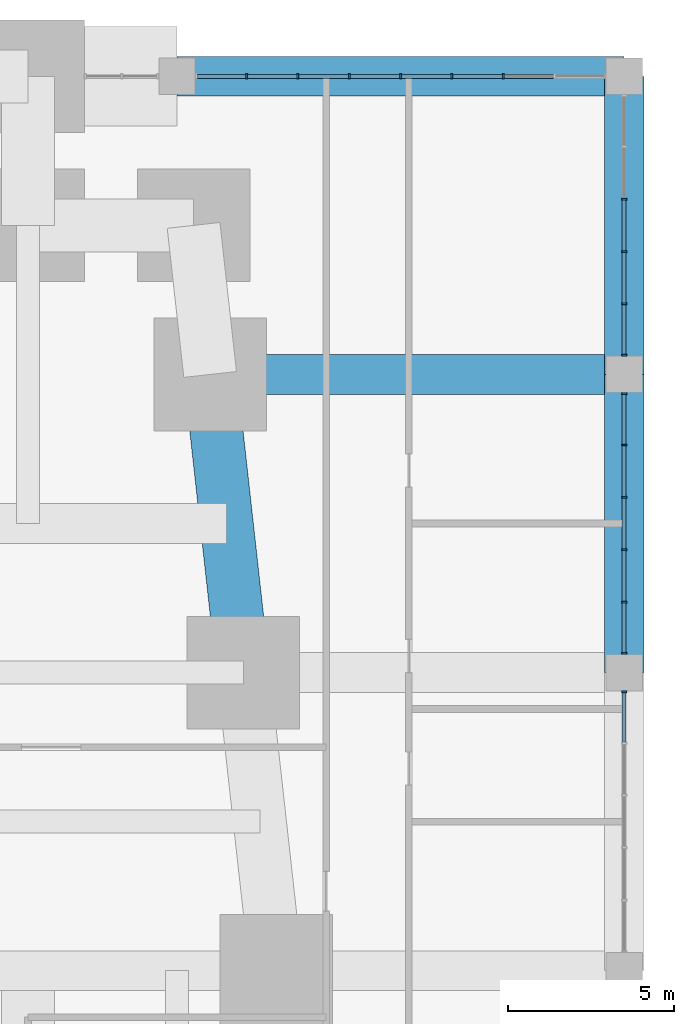
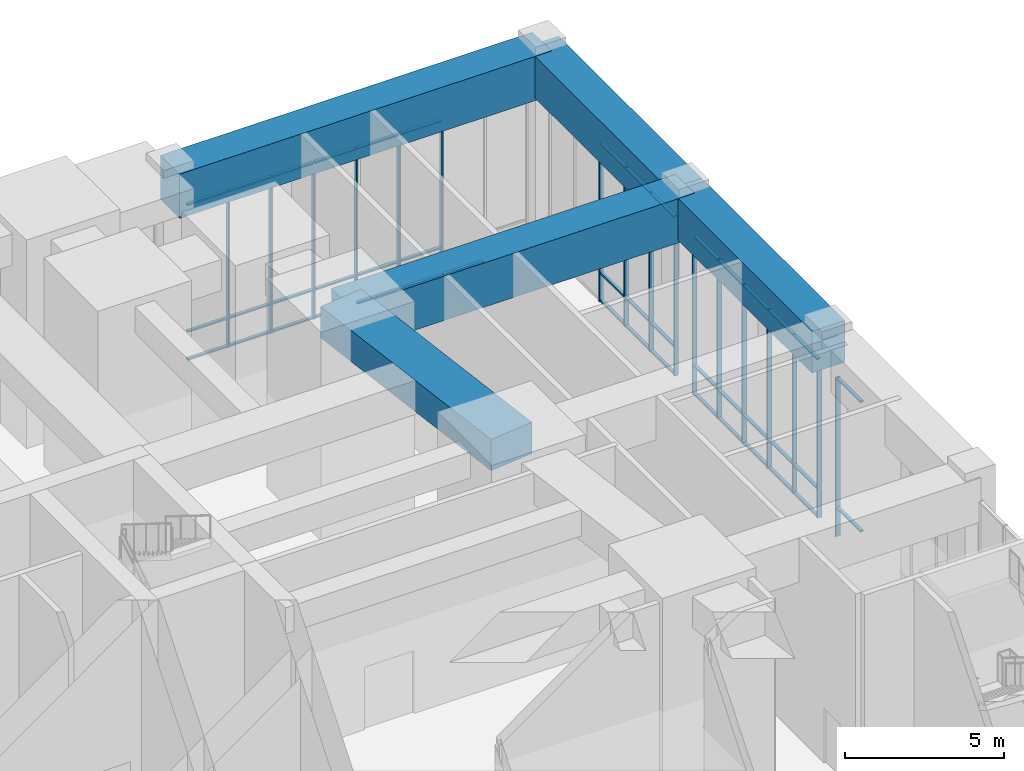
# One storey, part 12 of 26: 62 members, 5 beams, 4 elements without a shape of their own.
"""IFC4 building model written with IfcOpenShell, lengths in metres."""

from ifc_helpers import new_model, si_unit, direction, frame, origin, origin_2d, place, context, subcontext, project, spatial, rectangle, extrude, material, material_profile, profile_set, type_object, element, aggregate, save


model = new_model("IFC4")

# Units and contexts
model_context = context("Model", 3, precision=1e-05, world=origin(), true_north=direction((0.0, 1.0)))
body_context = subcontext(model_context, "Body", "Model", "MODEL_VIEW")
ifc_project = project(units=[si_unit("LENGTHUNIT", "METRE"), si_unit("AREAUNIT", "SQUARE_METRE"), si_unit("VOLUMEUNIT", "CUBIC_METRE"), si_unit("PLANEANGLEUNIT", "RADIAN"), si_unit("MASSUNIT", "GRAM", prefix="KILO")], contexts=[model_context])

# Site, building, storey
site_placement = place(None, origin())
site = spatial("IfcSite", under=ifc_project, at=site_placement, CompositionType="ELEMENT")
building_placement = place(site_placement, origin())
building = spatial("IfcBuilding", under=site, at=building_placement, Name="Kilele Tower Hotel", CompositionType="ELEMENT")
storey_placement = place(building_placement, frame((0.0, 0.0, 11.0)))
storey = spatial("IfcBuildingStorey", under=building, at=storey_placement, Name="L02", CompositionType="ELEMENT", Elevation=11.0)

# Beams
ifc_material_1 = material(Name="Concrete C60/75", Category="concrete")
ifc_material_profile_1 = material_profile(ifc_material_1, rectangle(XDim=1.199951171875, YDim=1.60009765625, at=origin_2d()))
ifc_profile_set_1 = profile_set([ifc_material_profile_1], Name="Concrete C60/75")
beam_type_1 = type_object("IfcBeamType", Name="Beam RC 1200x1600 C60/75", PredefinedType="BEAM", material=ifc_profile_set_1)
for number, where, z_axis, x_axis, name in (
    (1, (58.5, 22.5, 6.89990234375), (0.0, 1.0, 0.0), (-1.0, 0.0, 0.0), "Beam PB2 level L03"),
    (2, (58.5, 31.5, 6.89990234375), (0.0, 1.0, 0.0), (-1.0, 0.0, 0.0), "Beam PB2 level L03"),
):
    element("IfcBeam", number, at=place(storey_placement, frame(where, z_axis=z_axis, x_axis=x_axis)), inside=storey, type_object=beam_type_1, Name=name, PredefinedType="BEAM", context=body_context, shape_type="SweptSolid", body=[
        extrude(rectangle(XDim=1.199951171875, YDim=1.60009765625, at=origin_2d()), origin(), (0.0, 0.0, 1.0), 9.0),
    ])
ifc_material_2 = material(Name="Concrete C60/75", Category="concrete")
ifc_material_profile_2 = material_profile(ifc_material_2, rectangle(XDim=1.199951171875, YDim=1.699951171875, at=origin_2d()))
ifc_profile_set_2 = profile_set([ifc_material_profile_2], Name="Concrete C60/75")
beam_type_2 = type_object("IfcBeamType", Name="Beam RC 1200x1700 C60/75", PredefinedType="BEAM", material=ifc_profile_set_2)
beam_1_placement = place(storey_placement, frame((46.0, 31.5, 6.85009765625), z_axis=(1.0, 0.0, 0.0), x_axis=(0.0, 1.0, 0.0)))
element("IfcBeam", 3, at=beam_1_placement, inside=storey, type_object=beam_type_2, Name="Beam PB3 level L03", PredefinedType="BEAM", context=body_context, shape_type="SweptSolid", body=[
    extrude(rectangle(XDim=1.199951171875, YDim=1.699951171875, at=origin_2d()), origin(), (0.0, 0.0, 1.0), 12.5),
])
beam_2_placement = place(storey_placement, frame((45.0, 40.5, 6.85009765625), z_axis=(1.0, 0.0, 0.0), x_axis=(0.0, 1.0, 0.0)))
element("IfcBeam", 4, at=beam_2_placement, inside=storey, type_object=beam_type_2, Name="Beam PB3 level L03", PredefinedType="BEAM", context=body_context, shape_type="SweptSolid", body=[
    extrude(rectangle(XDim=1.199951171875, YDim=1.699951171875, at=origin_2d()), origin(), (0.0, 0.0, 1.0), 13.5),
])

# Curtain wall, members
ifc_material_3 = material(Name="Aluminium curtain wall, clear double glazing", Category="aluminium")
curtain_wall_type_1 = type_object("IfcCurtainWallType", Name="Podium curtain wall CW-1", PredefinedType="NOTDEFINED", material=ifc_material_3)
curtain_wall_1_placement = place(storey_placement, origin())
curtain_wall_1 = element("IfcCurtainWall", 5, at=curtain_wall_1_placement, inside=storey, type_object=curtain_wall_type_1, Name="Podium curtain wall CW-1 L02", PredefinedType="NOTDEFINED")
ifc_material_4 = material(Name="Aluminium EN AW-6063 T6", Category="aluminium")
ifc_material_profile_3 = material_profile(ifc_material_4, rectangle(XDim=0.159912109375, YDim=0.06005859375, at=origin_2d()))
ifc_profile_set_3 = profile_set([ifc_material_profile_3], Name="Aluminium EN AW-6063 T6")
member_type_1 = type_object("IfcMemberType", Name="Mullion 60x160 CW-1", PredefinedType="MULLION", material=ifc_profile_set_3)
member_1_placement = place(storey_placement, frame((54.85009765625, 40.5, 0.0), z_axis=(0.0, 0.0, 1.0), x_axis=(0.0, -1.0, 0.0)))
member_1 = element("IfcMember", 6, at=member_1_placement, type_object=member_type_1, Name="CW-1 mullion 3", PredefinedType="MULLION", context=body_context, shape_type="SweptSolid", body=[
    extrude(rectangle(XDim=0.159912109375, YDim=0.06005859375, at=origin_2d()), origin(), (0.0, 0.0, 1.0), 6.0),
])
member_2_placement = place(storey_placement, frame((53.300048828125, 40.5, 0.0), z_axis=(0.0, 0.0, 1.0), x_axis=(0.0, -1.0, 0.0)))
member_2 = element("IfcMember", 7, at=member_2_placement, type_object=member_type_1, Name="CW-1 mullion 4", PredefinedType="MULLION", context=body_context, shape_type="SweptSolid", body=[
    extrude(rectangle(XDim=0.159912109375, YDim=0.06005859375, at=origin_2d()), origin(), (0.0, 0.0, 1.0), 6.0),
])
member_3_placement = place(storey_placement, frame((51.75, 40.5, 0.0), z_axis=(0.0, 0.0, 1.0), x_axis=(0.0, -1.0, 0.0)))
member_3 = element("IfcMember", 8, at=member_3_placement, type_object=member_type_1, Name="CW-1 mullion 5", PredefinedType="MULLION", context=body_context, shape_type="SweptSolid", body=[
    extrude(rectangle(XDim=0.159912109375, YDim=0.06005859375, at=origin_2d()), origin(), (0.0, 0.0, 1.0), 6.0),
])
member_4_placement = place(storey_placement, frame((50.199951171875, 40.5, 0.0), z_axis=(0.0, 0.0, 1.0), x_axis=(0.0, -1.0, 0.0)))
member_4 = element("IfcMember", 9, at=member_4_placement, type_object=member_type_1, Name="CW-1 mullion 6", PredefinedType="MULLION", context=body_context, shape_type="SweptSolid", body=[
    extrude(rectangle(XDim=0.159912109375, YDim=0.06005859375, at=origin_2d()), origin(), (0.0, 0.0, 1.0), 6.0),
])
member_5_placement = place(storey_placement, frame((48.64990234375, 40.5, 0.0), z_axis=(0.0, 0.0, 1.0), x_axis=(0.0, -1.0, 0.0)))
member_5 = element("IfcMember", 10, at=member_5_placement, type_object=member_type_1, Name="CW-1 mullion 7", PredefinedType="MULLION", context=body_context, shape_type="SweptSolid", body=[
    extrude(rectangle(XDim=0.159912109375, YDim=0.06005859375, at=origin_2d()), origin(), (0.0, 0.0, 1.0), 6.0),
])
member_6_placement = place(storey_placement, frame((47.10009765625, 40.5, 0.0), z_axis=(0.0, 0.0, 1.0), x_axis=(0.0, -1.0, 0.0)))
member_6 = element("IfcMember", 11, at=member_6_placement, type_object=member_type_1, Name="CW-1 mullion 8", PredefinedType="MULLION", context=body_context, shape_type="SweptSolid", body=[
    extrude(rectangle(XDim=0.159912109375, YDim=0.06005859375, at=origin_2d()), origin(), (0.0, 0.0, 1.0), 6.0),
])

# Curtain wall, member
ifc_material_5 = material(Name="Aluminium curtain wall, clear double glazing", Category="aluminium")
curtain_wall_type_2 = type_object("IfcCurtainWallType", Name="Podium side curtain wall CW-2", PredefinedType="NOTDEFINED", material=ifc_material_5)
curtain_wall_2_placement = place(storey_placement, origin())
curtain_wall_2 = element("IfcCurtainWall", 12, at=curtain_wall_2_placement, inside=storey, type_object=curtain_wall_type_2, Name="Podium side curtain wall CW-2 L02", PredefinedType="NOTDEFINED")
ifc_material_6 = material(Name="Aluminium EN AW-6063 T6", Category="aluminium")
ifc_material_profile_4 = material_profile(ifc_material_6, rectangle(XDim=0.159912109375, YDim=0.06005859375, at=origin_2d()))
ifc_profile_set_4 = profile_set([ifc_material_profile_4], Name="Aluminium EN AW-6063 T6")
member_type_2 = type_object("IfcMemberType", Name="Mullion 60x160 CW-2", PredefinedType="MULLION", material=ifc_profile_set_4)
member_7_placement = place(storey_placement, frame((58.5, 21.919921875, 0.0), z_axis=(0.0, 0.0, 1.0), x_axis=(-1.0, 0.0, 0.0)))
member_7 = element("IfcMember", 13, at=member_7_placement, type_object=member_type_2, Name="CW-2 mullion 6", PredefinedType="MULLION", context=body_context, shape_type="SweptSolid", body=[
    extrude(rectangle(XDim=0.159912109375, YDim=0.06005859375, at=origin_2d()), origin(), (0.0, 0.0, 1.0), 6.10009765625),
])

# Curtain wall, members
curtain_wall_3_placement = place(storey_placement, origin())
curtain_wall_3 = element("IfcCurtainWall", 14, at=curtain_wall_3_placement, inside=storey, type_object=curtain_wall_type_2, Name="Podium side curtain wall CW-2 L02", PredefinedType="NOTDEFINED")
member_8_placement = place(storey_placement, frame((58.5, 23.080078125, 0.0), z_axis=(0.0, 0.0, 1.0), x_axis=(-1.0, 0.0, 0.0)))
member_8 = element("IfcMember", 15, at=member_8_placement, type_object=member_type_2, Name="CW-2 mullion 1", PredefinedType="MULLION", context=body_context, shape_type="SweptSolid", body=[
    extrude(rectangle(XDim=0.159912109375, YDim=0.06005859375, at=origin_2d()), origin(), (0.0, 0.0, 1.0), 6.10009765625),
])
member_9_placement = place(storey_placement, frame((58.5, 24.6298828125, 0.0), z_axis=(0.0, 0.0, 1.0), x_axis=(-1.0, 0.0, 0.0)))
member_9 = element("IfcMember", 16, at=member_9_placement, type_object=member_type_2, Name="CW-2 mullion 2", PredefinedType="MULLION", context=body_context, shape_type="SweptSolid", body=[
    extrude(rectangle(XDim=0.159912109375, YDim=0.06005859375, at=origin_2d()), origin(), (0.0, 0.0, 1.0), 6.10009765625),
])
member_10_placement = place(storey_placement, frame((58.5, 26.2099609375, 0.0), z_axis=(0.0, 0.0, 1.0), x_axis=(-1.0, 0.0, 0.0)))
member_10 = element("IfcMember", 17, at=member_10_placement, type_object=member_type_2, Name="CW-2 mullion 3", PredefinedType="MULLION", context=body_context, shape_type="SweptSolid", body=[
    extrude(rectangle(XDim=0.159912109375, YDim=0.06005859375, at=origin_2d()), origin(), (0.0, 0.0, 1.0), 6.10009765625),
])
member_11_placement = place(storey_placement, frame((58.5, 27.7900390625, 0.0), z_axis=(0.0, 0.0, 1.0), x_axis=(-1.0, 0.0, 0.0)))
member_11 = element("IfcMember", 18, at=member_11_placement, type_object=member_type_2, Name="CW-2 mullion 4", PredefinedType="MULLION", context=body_context, shape_type="SweptSolid", body=[
    extrude(rectangle(XDim=0.159912109375, YDim=0.06005859375, at=origin_2d()), origin(), (0.0, 0.0, 1.0), 6.10009765625),
])
member_12_placement = place(storey_placement, frame((58.5, 29.3701171875, 0.0), z_axis=(0.0, 0.0, 1.0), x_axis=(-1.0, 0.0, 0.0)))
member_12 = element("IfcMember", 19, at=member_12_placement, type_object=member_type_2, Name="CW-2 mullion 5", PredefinedType="MULLION", context=body_context, shape_type="SweptSolid", body=[
    extrude(rectangle(XDim=0.159912109375, YDim=0.06005859375, at=origin_2d()), origin(), (0.0, 0.0, 1.0), 6.10009765625),
])
member_13_placement = place(storey_placement, frame((58.5, 30.919921875, 0.0), z_axis=(0.0, 0.0, 1.0), x_axis=(-1.0, 0.0, 0.0)))
member_13 = element("IfcMember", 20, at=member_13_placement, type_object=member_type_2, Name="CW-2 mullion 6", PredefinedType="MULLION", context=body_context, shape_type="SweptSolid", body=[
    extrude(rectangle(XDim=0.159912109375, YDim=0.06005859375, at=origin_2d()), origin(), (0.0, 0.0, 1.0), 6.10009765625),
])

curtain_wall_4_placement = place(storey_placement, origin())
curtain_wall_4 = element("IfcCurtainWall", 21, at=curtain_wall_4_placement, inside=storey, type_object=curtain_wall_type_2, Name="Podium side curtain wall CW-2 L02", PredefinedType="NOTDEFINED")
member_14_placement = place(storey_placement, frame((58.5, 32.080078125, 0.0), z_axis=(0.0, 0.0, 1.0), x_axis=(-1.0, 0.0, 0.0)))
member_14 = element("IfcMember", 22, at=member_14_placement, type_object=member_type_2, Name="CW-2 mullion 1", PredefinedType="MULLION", context=body_context, shape_type="SweptSolid", body=[
    extrude(rectangle(XDim=0.159912109375, YDim=0.06005859375, at=origin_2d()), origin(), (0.0, 0.0, 1.0), 6.10009765625),
])
member_15_placement = place(storey_placement, frame((58.5, 33.6298828125, 0.0), z_axis=(0.0, 0.0, 1.0), x_axis=(-1.0, 0.0, 0.0)))
member_15 = element("IfcMember", 23, at=member_15_placement, type_object=member_type_2, Name="CW-2 mullion 2", PredefinedType="MULLION", context=body_context, shape_type="SweptSolid", body=[
    extrude(rectangle(XDim=0.159912109375, YDim=0.06005859375, at=origin_2d()), origin(), (0.0, 0.0, 1.0), 6.10009765625),
])
member_16_placement = place(storey_placement, frame((58.5, 35.2099609375, 0.0), z_axis=(0.0, 0.0, 1.0), x_axis=(-1.0, 0.0, 0.0)))
member_16 = element("IfcMember", 24, at=member_16_placement, type_object=member_type_2, Name="CW-2 mullion 3", PredefinedType="MULLION", context=body_context, shape_type="SweptSolid", body=[
    extrude(rectangle(XDim=0.159912109375, YDim=0.06005859375, at=origin_2d()), origin(), (0.0, 0.0, 1.0), 6.10009765625),
])
member_17_placement = place(storey_placement, frame((58.5, 36.7900390625, 0.0), z_axis=(0.0, 0.0, 1.0), x_axis=(-1.0, 0.0, 0.0)))
member_17 = element("IfcMember", 25, at=member_17_placement, type_object=member_type_2, Name="CW-2 mullion 4", PredefinedType="MULLION", context=body_context, shape_type="SweptSolid", body=[
    extrude(rectangle(XDim=0.159912109375, YDim=0.06005859375, at=origin_2d()), origin(), (0.0, 0.0, 1.0), 6.10009765625),
])

# Beam
ifc_material_7 = material(Name="Concrete C60/75", Category="concrete")
ifc_material_profile_5 = material_profile(ifc_material_7, rectangle(XDim=1.60009765625, YDim=1.199951171875, at=origin_2d()))
ifc_profile_set_5 = profile_set([ifc_material_profile_5], Name="Concrete C60/75")
beam_type_3 = type_object("IfcBeamType", Name="Spandrel RC 1600x1200 C60/75", PredefinedType="SPANDREL", material=ifc_profile_set_5)
beam_3_placement = place(storey_placement, frame((47.0, 22.5, 7.10009765625), z_axis=(-0.110431526075, 0.993883734674, 0.0), x_axis=(-0.993883734674, -0.110431526075, 0.0)))
element("IfcBeam", 26, at=beam_3_placement, inside=storey, type_object=beam_type_3, Name="Spandrel SP11 level L03", PredefinedType="SPANDREL", context=body_context, shape_type="SweptSolid", body=[
    extrude(rectangle(XDim=1.60009765625, YDim=1.199951171875, at=origin_2d()), origin(), (0.0, 0.0, 1.0), 9.055419921875),
])

# Member
ifc_material_8 = material(Name="Aluminium EN AW-6063 T6", Category="aluminium")
ifc_material_profile_6 = material_profile(ifc_material_8, rectangle(XDim=0.1201171875, YDim=0.06005859375, at=origin_2d()))
ifc_profile_set_6 = profile_set([ifc_material_profile_6], Name="Aluminium EN AW-6063 T6")
member_type_3 = type_object("IfcMemberType", Name="Transom 60x120 CW-1", PredefinedType="USERDEFINED", material=ifc_profile_set_6)
member_18_placement = place(storey_placement, frame((56.3701171875, 40.5, 0.030029296875), z_axis=(-1.0, 0.0, 0.0), x_axis=(0.0, -1.0, 0.0)))
member_18 = element("IfcMember", 27, at=member_18_placement, type_object=member_type_3, Name="CW-1 transom 2.1", ObjectType="TRANSOM", PredefinedType="USERDEFINED", context=body_context, shape_type="SweptSolid", body=[
    extrude(rectangle(XDim=0.1201171875, YDim=0.06005859375, at=origin_2d()), origin(), (0.0, 0.0, 1.0), 1.490234375),
])

member_19_placement = place(storey_placement, frame((54.820068359375, 40.5, 0.030029296875), z_axis=(-1.0, 0.0, 0.0), x_axis=(0.0, -1.0, 0.0)))
member_19 = element("IfcMember", 28, at=member_19_placement, type_object=member_type_3, Name="CW-1 transom 3.1", ObjectType="TRANSOM", PredefinedType="USERDEFINED", context=body_context, shape_type="SweptSolid", body=[
    extrude(rectangle(XDim=0.1201171875, YDim=0.06005859375, at=origin_2d()), origin(), (0.0, 0.0, 1.0), 1.489990234375),
])

member_20_placement = place(storey_placement, frame((54.820068359375, 40.5, 1.10009765625), z_axis=(-1.0, 0.0, 0.0), x_axis=(0.0, -1.0, 0.0)))
member_20 = element("IfcMember", 29, at=member_20_placement, type_object=member_type_3, Name="CW-1 transom 3.2", ObjectType="TRANSOM", PredefinedType="USERDEFINED", context=body_context, shape_type="SweptSolid", body=[
    extrude(rectangle(XDim=0.1201171875, YDim=0.06005859375, at=origin_2d()), origin(), (0.0, 0.0, 1.0), 1.489990234375),
])

member_21_placement = place(storey_placement, frame((54.820068359375, 40.5, 5.969970703125), z_axis=(-1.0, 0.0, 0.0), x_axis=(0.0, -1.0, 0.0)))
member_21 = element("IfcMember", 30, at=member_21_placement, type_object=member_type_3, Name="CW-1 transom 3.3", ObjectType="TRANSOM", PredefinedType="USERDEFINED", context=body_context, shape_type="SweptSolid", body=[
    extrude(rectangle(XDim=0.1201171875, YDim=0.06005859375, at=origin_2d()), origin(), (0.0, 0.0, 1.0), 1.489990234375),
])

member_22_placement = place(storey_placement, frame((53.27001953125, 40.5, 0.030029296875), z_axis=(-1.0, 0.0, 0.0), x_axis=(0.0, -1.0, 0.0)))
member_22 = element("IfcMember", 31, at=member_22_placement, type_object=member_type_3, Name="CW-1 transom 4.1", ObjectType="TRANSOM", PredefinedType="USERDEFINED", context=body_context, shape_type="SweptSolid", body=[
    extrude(rectangle(XDim=0.1201171875, YDim=0.06005859375, at=origin_2d()), origin(), (0.0, 0.0, 1.0), 1.489990234375),
])

member_23_placement = place(storey_placement, frame((53.27001953125, 40.5, 1.10009765625), z_axis=(-1.0, 0.0, 0.0), x_axis=(0.0, -1.0, 0.0)))
member_23 = element("IfcMember", 32, at=member_23_placement, type_object=member_type_3, Name="CW-1 transom 4.2", ObjectType="TRANSOM", PredefinedType="USERDEFINED", context=body_context, shape_type="SweptSolid", body=[
    extrude(rectangle(XDim=0.1201171875, YDim=0.06005859375, at=origin_2d()), origin(), (0.0, 0.0, 1.0), 1.489990234375),
])

member_24_placement = place(storey_placement, frame((53.27001953125, 40.5, 5.969970703125), z_axis=(-1.0, 0.0, 0.0), x_axis=(0.0, -1.0, 0.0)))
member_24 = element("IfcMember", 33, at=member_24_placement, type_object=member_type_3, Name="CW-1 transom 4.3", ObjectType="TRANSOM", PredefinedType="USERDEFINED", context=body_context, shape_type="SweptSolid", body=[
    extrude(rectangle(XDim=0.1201171875, YDim=0.06005859375, at=origin_2d()), origin(), (0.0, 0.0, 1.0), 1.489990234375),
])

member_25_placement = place(storey_placement, frame((51.719970703125, 40.5, 0.030029296875), z_axis=(-1.0, 0.0, 0.0), x_axis=(0.0, -1.0, 0.0)))
member_25 = element("IfcMember", 34, at=member_25_placement, type_object=member_type_3, Name="CW-1 transom 5.1", ObjectType="TRANSOM", PredefinedType="USERDEFINED", context=body_context, shape_type="SweptSolid", body=[
    extrude(rectangle(XDim=0.1201171875, YDim=0.06005859375, at=origin_2d()), origin(), (0.0, 0.0, 1.0), 1.489990234375),
])

member_26_placement = place(storey_placement, frame((51.719970703125, 40.5, 1.10009765625), z_axis=(-1.0, 0.0, 0.0), x_axis=(0.0, -1.0, 0.0)))
member_26 = element("IfcMember", 35, at=member_26_placement, type_object=member_type_3, Name="CW-1 transom 5.2", ObjectType="TRANSOM", PredefinedType="USERDEFINED", context=body_context, shape_type="SweptSolid", body=[
    extrude(rectangle(XDim=0.1201171875, YDim=0.06005859375, at=origin_2d()), origin(), (0.0, 0.0, 1.0), 1.489990234375),
])

member_27_placement = place(storey_placement, frame((51.719970703125, 40.5, 5.969970703125), z_axis=(-1.0, 0.0, 0.0), x_axis=(0.0, -1.0, 0.0)))
member_27 = element("IfcMember", 36, at=member_27_placement, type_object=member_type_3, Name="CW-1 transom 5.3", ObjectType="TRANSOM", PredefinedType="USERDEFINED", context=body_context, shape_type="SweptSolid", body=[
    extrude(rectangle(XDim=0.1201171875, YDim=0.06005859375, at=origin_2d()), origin(), (0.0, 0.0, 1.0), 1.489990234375),
])

member_28_placement = place(storey_placement, frame((50.169921875, 40.5, 0.030029296875), z_axis=(-1.0, 0.0, 0.0), x_axis=(0.0, -1.0, 0.0)))
member_28 = element("IfcMember", 37, at=member_28_placement, type_object=member_type_3, Name="CW-1 transom 6.1", ObjectType="TRANSOM", PredefinedType="USERDEFINED", context=body_context, shape_type="SweptSolid", body=[
    extrude(rectangle(XDim=0.1201171875, YDim=0.06005859375, at=origin_2d()), origin(), (0.0, 0.0, 1.0), 1.489990234375),
])

member_29_placement = place(storey_placement, frame((50.169921875, 40.5, 1.10009765625), z_axis=(-1.0, 0.0, 0.0), x_axis=(0.0, -1.0, 0.0)))
member_29 = element("IfcMember", 38, at=member_29_placement, type_object=member_type_3, Name="CW-1 transom 6.2", ObjectType="TRANSOM", PredefinedType="USERDEFINED", context=body_context, shape_type="SweptSolid", body=[
    extrude(rectangle(XDim=0.1201171875, YDim=0.06005859375, at=origin_2d()), origin(), (0.0, 0.0, 1.0), 1.489990234375),
])

member_30_placement = place(storey_placement, frame((50.169921875, 40.5, 5.969970703125), z_axis=(-1.0, 0.0, 0.0), x_axis=(0.0, -1.0, 0.0)))
member_30 = element("IfcMember", 39, at=member_30_placement, type_object=member_type_3, Name="CW-1 transom 6.3", ObjectType="TRANSOM", PredefinedType="USERDEFINED", context=body_context, shape_type="SweptSolid", body=[
    extrude(rectangle(XDim=0.1201171875, YDim=0.06005859375, at=origin_2d()), origin(), (0.0, 0.0, 1.0), 1.489990234375),
])

member_31_placement = place(storey_placement, frame((48.6201171875, 40.5, 0.030029296875), z_axis=(-1.0, 0.0, 0.0), x_axis=(0.0, -1.0, 0.0)))
member_31 = element("IfcMember", 40, at=member_31_placement, type_object=member_type_3, Name="CW-1 transom 7.1", ObjectType="TRANSOM", PredefinedType="USERDEFINED", context=body_context, shape_type="SweptSolid", body=[
    extrude(rectangle(XDim=0.1201171875, YDim=0.06005859375, at=origin_2d()), origin(), (0.0, 0.0, 1.0), 1.490234375),
])

member_32_placement = place(storey_placement, frame((48.6201171875, 40.5, 1.10009765625), z_axis=(-1.0, 0.0, 0.0), x_axis=(0.0, -1.0, 0.0)))
member_32 = element("IfcMember", 41, at=member_32_placement, type_object=member_type_3, Name="CW-1 transom 7.2", ObjectType="TRANSOM", PredefinedType="USERDEFINED", context=body_context, shape_type="SweptSolid", body=[
    extrude(rectangle(XDim=0.1201171875, YDim=0.06005859375, at=origin_2d()), origin(), (0.0, 0.0, 1.0), 1.490234375),
])

member_33_placement = place(storey_placement, frame((48.6201171875, 40.5, 5.969970703125), z_axis=(-1.0, 0.0, 0.0), x_axis=(0.0, -1.0, 0.0)))
member_33 = element("IfcMember", 42, at=member_33_placement, type_object=member_type_3, Name="CW-1 transom 7.3", ObjectType="TRANSOM", PredefinedType="USERDEFINED", context=body_context, shape_type="SweptSolid", body=[
    extrude(rectangle(XDim=0.1201171875, YDim=0.06005859375, at=origin_2d()), origin(), (0.0, 0.0, 1.0), 1.490234375),
])

member_34_placement = place(storey_placement, frame((47.070068359375, 40.5, 0.030029296875), z_axis=(-1.0, 0.0, 0.0), x_axis=(0.0, -1.0, 0.0)))
member_34 = element("IfcMember", 43, at=member_34_placement, type_object=member_type_3, Name="CW-1 transom 8.1", ObjectType="TRANSOM", PredefinedType="USERDEFINED", context=body_context, shape_type="SweptSolid", body=[
    extrude(rectangle(XDim=0.1201171875, YDim=0.06005859375, at=origin_2d()), origin(), (0.0, 0.0, 1.0), 1.4599609375),
])

member_35_placement = place(storey_placement, frame((47.070068359375, 40.5, 1.10009765625), z_axis=(-1.0, 0.0, 0.0), x_axis=(0.0, -1.0, 0.0)))
member_35 = element("IfcMember", 44, at=member_35_placement, type_object=member_type_3, Name="CW-1 transom 8.2", ObjectType="TRANSOM", PredefinedType="USERDEFINED", context=body_context, shape_type="SweptSolid", body=[
    extrude(rectangle(XDim=0.1201171875, YDim=0.06005859375, at=origin_2d()), origin(), (0.0, 0.0, 1.0), 1.4599609375),
])

member_36_placement = place(storey_placement, frame((47.070068359375, 40.5, 5.969970703125), z_axis=(-1.0, 0.0, 0.0), x_axis=(0.0, -1.0, 0.0)))
member_36 = element("IfcMember", 45, at=member_36_placement, type_object=member_type_3, Name="CW-1 transom 8.3", ObjectType="TRANSOM", PredefinedType="USERDEFINED", context=body_context, shape_type="SweptSolid", body=[
    extrude(rectangle(XDim=0.1201171875, YDim=0.06005859375, at=origin_2d()), origin(), (0.0, 0.0, 1.0), 1.4599609375),
])

aggregate(curtain_wall_1, [member_1, member_2, member_3, member_4, member_5, member_6, member_18, member_19, member_20, member_21, member_22, member_23, member_24, member_25, member_26, member_27, member_28, member_29, member_30, member_31, member_32, member_33, member_34, member_35, member_36])

ifc_material_9 = material(Name="Aluminium EN AW-6063 T6", Category="aluminium")
ifc_material_profile_7 = material_profile(ifc_material_9, rectangle(XDim=0.1201171875, YDim=0.06005859375, at=origin_2d()))
ifc_profile_set_7 = profile_set([ifc_material_profile_7], Name="Aluminium EN AW-6063 T6")
member_type_4 = type_object("IfcMemberType", Name="Transom 60x120 CW-2", PredefinedType="USERDEFINED", material=ifc_profile_set_7)
member_37_placement = place(storey_placement, frame((58.5, 20.39990234375, 1.10009765625), z_axis=(0.0, 1.0, 0.0), x_axis=(-1.0, 0.0, 0.0)))
member_37 = element("IfcMember", 46, at=member_37_placement, type_object=member_type_4, Name="CW-2 transom 5.2", ObjectType="TRANSOM", PredefinedType="USERDEFINED", context=body_context, shape_type="SweptSolid", body=[
    extrude(rectangle(XDim=0.1201171875, YDim=0.06005859375, at=origin_2d()), origin(), (0.0, 0.0, 1.0), 1.489990234375),
])

member_38_placement = place(storey_placement, frame((58.5, 20.39990234375, 6.070068359375), z_axis=(0.0, 1.0, 0.0), x_axis=(-1.0, 0.0, 0.0)))
member_38 = element("IfcMember", 47, at=member_38_placement, type_object=member_type_4, Name="CW-2 transom 5.3", ObjectType="TRANSOM", PredefinedType="USERDEFINED", context=body_context, shape_type="SweptSolid", body=[
    extrude(rectangle(XDim=0.1201171875, YDim=0.06005859375, at=origin_2d()), origin(), (0.0, 0.0, 1.0), 1.489990234375),
])

aggregate(curtain_wall_2, [member_7, member_37, member_38])

member_39_placement = place(storey_placement, frame((58.5, 23.110107421875, 0.030029296875), z_axis=(0.0, 1.0, 0.0), x_axis=(-1.0, 0.0, 0.0)))
member_39 = element("IfcMember", 48, at=member_39_placement, type_object=member_type_4, Name="CW-2 transom 1.1", ObjectType="TRANSOM", PredefinedType="USERDEFINED", context=body_context, shape_type="SweptSolid", body=[
    extrude(rectangle(XDim=0.1201171875, YDim=0.06005859375, at=origin_2d()), origin(), (0.0, 0.0, 1.0), 1.489990234375),
])

member_40_placement = place(storey_placement, frame((58.5, 23.110107421875, 1.10009765625), z_axis=(0.0, 1.0, 0.0), x_axis=(-1.0, 0.0, 0.0)))
member_40 = element("IfcMember", 49, at=member_40_placement, type_object=member_type_4, Name="CW-2 transom 1.2", ObjectType="TRANSOM", PredefinedType="USERDEFINED", context=body_context, shape_type="SweptSolid", body=[
    extrude(rectangle(XDim=0.1201171875, YDim=0.06005859375, at=origin_2d()), origin(), (0.0, 0.0, 1.0), 1.489990234375),
])

member_41_placement = place(storey_placement, frame((58.5, 23.110107421875, 6.070068359375), z_axis=(0.0, 1.0, 0.0), x_axis=(-1.0, 0.0, 0.0)))
member_41 = element("IfcMember", 50, at=member_41_placement, type_object=member_type_4, Name="CW-2 transom 1.3", ObjectType="TRANSOM", PredefinedType="USERDEFINED", context=body_context, shape_type="SweptSolid", body=[
    extrude(rectangle(XDim=0.1201171875, YDim=0.06005859375, at=origin_2d()), origin(), (0.0, 0.0, 1.0), 1.489990234375),
])

member_42_placement = place(storey_placement, frame((58.5, 24.659912109375, 0.030029296875), z_axis=(0.0, 1.0, 0.0), x_axis=(-1.0, 0.0, 0.0)))
member_42 = element("IfcMember", 51, at=member_42_placement, type_object=member_type_4, Name="CW-2 transom 2.1", ObjectType="TRANSOM", PredefinedType="USERDEFINED", context=body_context, shape_type="SweptSolid", body=[
    extrude(rectangle(XDim=0.1201171875, YDim=0.06005859375, at=origin_2d()), origin(), (0.0, 0.0, 1.0), 1.52001953125),
])

member_43_placement = place(storey_placement, frame((58.5, 24.659912109375, 1.10009765625), z_axis=(0.0, 1.0, 0.0), x_axis=(-1.0, 0.0, 0.0)))
member_43 = element("IfcMember", 52, at=member_43_placement, type_object=member_type_4, Name="CW-2 transom 2.2", ObjectType="TRANSOM", PredefinedType="USERDEFINED", context=body_context, shape_type="SweptSolid", body=[
    extrude(rectangle(XDim=0.1201171875, YDim=0.06005859375, at=origin_2d()), origin(), (0.0, 0.0, 1.0), 1.52001953125),
])

member_44_placement = place(storey_placement, frame((58.5, 24.659912109375, 6.070068359375), z_axis=(0.0, 1.0, 0.0), x_axis=(-1.0, 0.0, 0.0)))
member_44 = element("IfcMember", 53, at=member_44_placement, type_object=member_type_4, Name="CW-2 transom 2.3", ObjectType="TRANSOM", PredefinedType="USERDEFINED", context=body_context, shape_type="SweptSolid", body=[
    extrude(rectangle(XDim=0.1201171875, YDim=0.06005859375, at=origin_2d()), origin(), (0.0, 0.0, 1.0), 1.52001953125),
])

member_45_placement = place(storey_placement, frame((58.5, 26.239990234375, 0.030029296875), z_axis=(0.0, 1.0, 0.0), x_axis=(-1.0, 0.0, 0.0)))
member_45 = element("IfcMember", 54, at=member_45_placement, type_object=member_type_4, Name="CW-2 transom 3.1", ObjectType="TRANSOM", PredefinedType="USERDEFINED", context=body_context, shape_type="SweptSolid", body=[
    extrude(rectangle(XDim=0.1201171875, YDim=0.06005859375, at=origin_2d()), origin(), (0.0, 0.0, 1.0), 1.52001953125),
])

member_46_placement = place(storey_placement, frame((58.5, 26.239990234375, 1.10009765625), z_axis=(0.0, 1.0, 0.0), x_axis=(-1.0, 0.0, 0.0)))
member_46 = element("IfcMember", 55, at=member_46_placement, type_object=member_type_4, Name="CW-2 transom 3.2", ObjectType="TRANSOM", PredefinedType="USERDEFINED", context=body_context, shape_type="SweptSolid", body=[
    extrude(rectangle(XDim=0.1201171875, YDim=0.06005859375, at=origin_2d()), origin(), (0.0, 0.0, 1.0), 1.52001953125),
])

member_47_placement = place(storey_placement, frame((58.5, 26.239990234375, 6.070068359375), z_axis=(0.0, 1.0, 0.0), x_axis=(-1.0, 0.0, 0.0)))
member_47 = element("IfcMember", 56, at=member_47_placement, type_object=member_type_4, Name="CW-2 transom 3.3", ObjectType="TRANSOM", PredefinedType="USERDEFINED", context=body_context, shape_type="SweptSolid", body=[
    extrude(rectangle(XDim=0.1201171875, YDim=0.06005859375, at=origin_2d()), origin(), (0.0, 0.0, 1.0), 1.52001953125),
])

member_48_placement = place(storey_placement, frame((58.5, 27.820068359375, 0.030029296875), z_axis=(0.0, 1.0, 0.0), x_axis=(-1.0, 0.0, 0.0)))
member_48 = element("IfcMember", 57, at=member_48_placement, type_object=member_type_4, Name="CW-2 transom 4.1", ObjectType="TRANSOM", PredefinedType="USERDEFINED", context=body_context, shape_type="SweptSolid", body=[
    extrude(rectangle(XDim=0.1201171875, YDim=0.06005859375, at=origin_2d()), origin(), (0.0, 0.0, 1.0), 1.52001953125),
])

member_49_placement = place(storey_placement, frame((58.5, 27.820068359375, 1.10009765625), z_axis=(0.0, 1.0, 0.0), x_axis=(-1.0, 0.0, 0.0)))
member_49 = element("IfcMember", 58, at=member_49_placement, type_object=member_type_4, Name="CW-2 transom 4.2", ObjectType="TRANSOM", PredefinedType="USERDEFINED", context=body_context, shape_type="SweptSolid", body=[
    extrude(rectangle(XDim=0.1201171875, YDim=0.06005859375, at=origin_2d()), origin(), (0.0, 0.0, 1.0), 1.52001953125),
])

member_50_placement = place(storey_placement, frame((58.5, 27.820068359375, 6.070068359375), z_axis=(0.0, 1.0, 0.0), x_axis=(-1.0, 0.0, 0.0)))
member_50 = element("IfcMember", 59, at=member_50_placement, type_object=member_type_4, Name="CW-2 transom 4.3", ObjectType="TRANSOM", PredefinedType="USERDEFINED", context=body_context, shape_type="SweptSolid", body=[
    extrude(rectangle(XDim=0.1201171875, YDim=0.06005859375, at=origin_2d()), origin(), (0.0, 0.0, 1.0), 1.52001953125),
])

member_51_placement = place(storey_placement, frame((58.5, 29.39990234375, 0.030029296875), z_axis=(0.0, 1.0, 0.0), x_axis=(-1.0, 0.0, 0.0)))
member_51 = element("IfcMember", 60, at=member_51_placement, type_object=member_type_4, Name="CW-2 transom 5.1", ObjectType="TRANSOM", PredefinedType="USERDEFINED", context=body_context, shape_type="SweptSolid", body=[
    extrude(rectangle(XDim=0.1201171875, YDim=0.06005859375, at=origin_2d()), origin(), (0.0, 0.0, 1.0), 1.489990234375),
])

member_52_placement = place(storey_placement, frame((58.5, 29.39990234375, 1.10009765625), z_axis=(0.0, 1.0, 0.0), x_axis=(-1.0, 0.0, 0.0)))
member_52 = element("IfcMember", 61, at=member_52_placement, type_object=member_type_4, Name="CW-2 transom 5.2", ObjectType="TRANSOM", PredefinedType="USERDEFINED", context=body_context, shape_type="SweptSolid", body=[
    extrude(rectangle(XDim=0.1201171875, YDim=0.06005859375, at=origin_2d()), origin(), (0.0, 0.0, 1.0), 1.489990234375),
])

member_53_placement = place(storey_placement, frame((58.5, 29.39990234375, 6.070068359375), z_axis=(0.0, 1.0, 0.0), x_axis=(-1.0, 0.0, 0.0)))
member_53 = element("IfcMember", 62, at=member_53_placement, type_object=member_type_4, Name="CW-2 transom 5.3", ObjectType="TRANSOM", PredefinedType="USERDEFINED", context=body_context, shape_type="SweptSolid", body=[
    extrude(rectangle(XDim=0.1201171875, YDim=0.06005859375, at=origin_2d()), origin(), (0.0, 0.0, 1.0), 1.489990234375),
])

aggregate(curtain_wall_3, [member_8, member_9, member_10, member_11, member_12, member_13, member_39, member_40, member_41, member_42, member_43, member_44, member_45, member_46, member_47, member_48, member_49, member_50, member_51, member_52, member_53])

member_54_placement = place(storey_placement, frame((58.5, 32.110107421875, 0.030029296875), z_axis=(0.0, 1.0, 0.0), x_axis=(-1.0, 0.0, 0.0)))
member_54 = element("IfcMember", 63, at=member_54_placement, type_object=member_type_4, Name="CW-2 transom 1.1", ObjectType="TRANSOM", PredefinedType="USERDEFINED", context=body_context, shape_type="SweptSolid", body=[
    extrude(rectangle(XDim=0.1201171875, YDim=0.06005859375, at=origin_2d()), origin(), (0.0, 0.0, 1.0), 1.489990234375),
])

member_55_placement = place(storey_placement, frame((58.5, 32.110107421875, 1.10009765625), z_axis=(0.0, 1.0, 0.0), x_axis=(-1.0, 0.0, 0.0)))
member_55 = element("IfcMember", 64, at=member_55_placement, type_object=member_type_4, Name="CW-2 transom 1.2", ObjectType="TRANSOM", PredefinedType="USERDEFINED", context=body_context, shape_type="SweptSolid", body=[
    extrude(rectangle(XDim=0.1201171875, YDim=0.06005859375, at=origin_2d()), origin(), (0.0, 0.0, 1.0), 1.489990234375),
])

member_56_placement = place(storey_placement, frame((58.5, 32.110107421875, 6.070068359375), z_axis=(0.0, 1.0, 0.0), x_axis=(-1.0, 0.0, 0.0)))
member_56 = element("IfcMember", 65, at=member_56_placement, type_object=member_type_4, Name="CW-2 transom 1.3", ObjectType="TRANSOM", PredefinedType="USERDEFINED", context=body_context, shape_type="SweptSolid", body=[
    extrude(rectangle(XDim=0.1201171875, YDim=0.06005859375, at=origin_2d()), origin(), (0.0, 0.0, 1.0), 1.489990234375),
])

member_57_placement = place(storey_placement, frame((58.5, 33.659912109375, 0.030029296875), z_axis=(0.0, 1.0, 0.0), x_axis=(-1.0, 0.0, 0.0)))
member_57 = element("IfcMember", 66, at=member_57_placement, type_object=member_type_4, Name="CW-2 transom 2.1", ObjectType="TRANSOM", PredefinedType="USERDEFINED", context=body_context, shape_type="SweptSolid", body=[
    extrude(rectangle(XDim=0.1201171875, YDim=0.06005859375, at=origin_2d()), origin(), (0.0, 0.0, 1.0), 1.52001953125),
])

member_58_placement = place(storey_placement, frame((58.5, 33.659912109375, 1.10009765625), z_axis=(0.0, 1.0, 0.0), x_axis=(-1.0, 0.0, 0.0)))
member_58 = element("IfcMember", 67, at=member_58_placement, type_object=member_type_4, Name="CW-2 transom 2.2", ObjectType="TRANSOM", PredefinedType="USERDEFINED", context=body_context, shape_type="SweptSolid", body=[
    extrude(rectangle(XDim=0.1201171875, YDim=0.06005859375, at=origin_2d()), origin(), (0.0, 0.0, 1.0), 1.52001953125),
])

member_59_placement = place(storey_placement, frame((58.5, 33.659912109375, 6.070068359375), z_axis=(0.0, 1.0, 0.0), x_axis=(-1.0, 0.0, 0.0)))
member_59 = element("IfcMember", 68, at=member_59_placement, type_object=member_type_4, Name="CW-2 transom 2.3", ObjectType="TRANSOM", PredefinedType="USERDEFINED", context=body_context, shape_type="SweptSolid", body=[
    extrude(rectangle(XDim=0.1201171875, YDim=0.06005859375, at=origin_2d()), origin(), (0.0, 0.0, 1.0), 1.52001953125),
])

member_60_placement = place(storey_placement, frame((58.5, 35.239990234375, 0.030029296875), z_axis=(0.0, 1.0, 0.0), x_axis=(-1.0, 0.0, 0.0)))
member_60 = element("IfcMember", 69, at=member_60_placement, type_object=member_type_4, Name="CW-2 transom 3.1", ObjectType="TRANSOM", PredefinedType="USERDEFINED", context=body_context, shape_type="SweptSolid", body=[
    extrude(rectangle(XDim=0.1201171875, YDim=0.06005859375, at=origin_2d()), origin(), (0.0, 0.0, 1.0), 1.52001953125),
])

member_61_placement = place(storey_placement, frame((58.5, 35.239990234375, 1.10009765625), z_axis=(0.0, 1.0, 0.0), x_axis=(-1.0, 0.0, 0.0)))
member_61 = element("IfcMember", 70, at=member_61_placement, type_object=member_type_4, Name="CW-2 transom 3.2", ObjectType="TRANSOM", PredefinedType="USERDEFINED", context=body_context, shape_type="SweptSolid", body=[
    extrude(rectangle(XDim=0.1201171875, YDim=0.06005859375, at=origin_2d()), origin(), (0.0, 0.0, 1.0), 1.52001953125),
])

member_62_placement = place(storey_placement, frame((58.5, 35.239990234375, 6.070068359375), z_axis=(0.0, 1.0, 0.0), x_axis=(-1.0, 0.0, 0.0)))
member_62 = element("IfcMember", 71, at=member_62_placement, type_object=member_type_4, Name="CW-2 transom 3.3", ObjectType="TRANSOM", PredefinedType="USERDEFINED", context=body_context, shape_type="SweptSolid", body=[
    extrude(rectangle(XDim=0.1201171875, YDim=0.06005859375, at=origin_2d()), origin(), (0.0, 0.0, 1.0), 1.52001953125),
])

aggregate(curtain_wall_4, [member_14, member_15, member_16, member_17, member_54, member_55, member_56, member_57, member_58, member_59, member_60, member_61, member_62])

save(model, "model.ifc")
